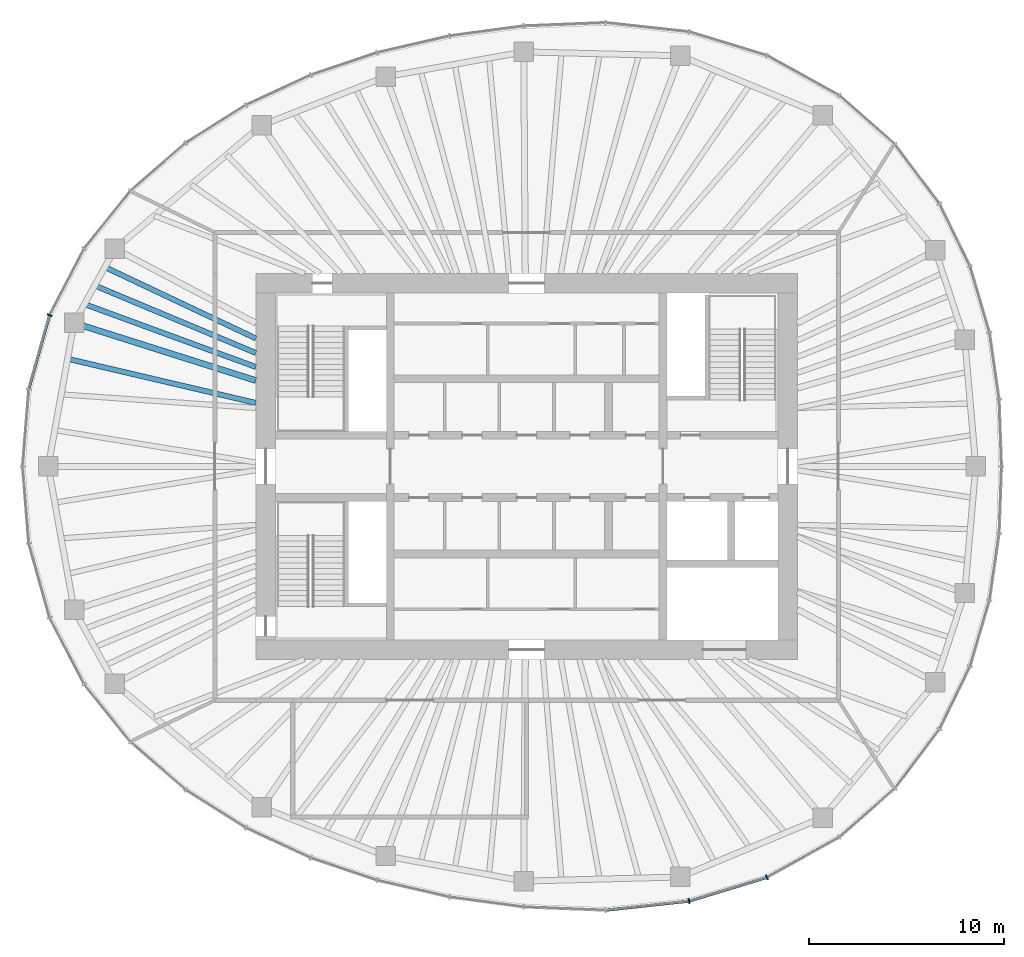
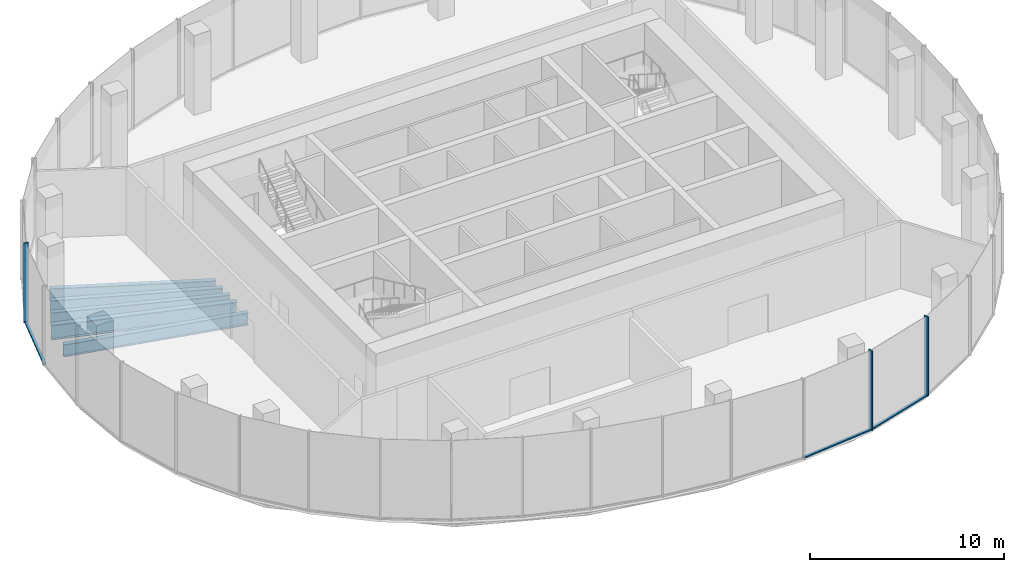
# One storey, part 3 of 11: 6 members, 5 beams, 3 elements without a shape of their own.
"""IFC4 building model written with IfcOpenShell, lengths in metres."""

from ifc_helpers import new_model, si_unit, direction, frame, origin, origin_2d, place, context, subcontext, project, spatial, rectangle, i_section, extrude, material, material_profile, profile_set, type_object, element, aggregate, save


model = new_model("IFC4")

# Units and contexts
model_context = context("Model", 3, precision=1e-05, world=origin(), true_north=direction((0.0, 1.0)))
body_context = subcontext(model_context, "Body", "Model", "MODEL_VIEW")
ifc_project = project(units=[si_unit("LENGTHUNIT", "METRE"), si_unit("AREAUNIT", "SQUARE_METRE"), si_unit("VOLUMEUNIT", "CUBIC_METRE"), si_unit("PLANEANGLEUNIT", "RADIAN"), si_unit("MASSUNIT", "GRAM", prefix="KILO")], contexts=[model_context])

# Site, building, storey
site_placement = place(None, origin())
site = spatial("IfcSite", under=ifc_project, at=site_placement, CompositionType="ELEMENT")
building_placement = place(site_placement, origin())
building = spatial("IfcBuilding", under=site, at=building_placement, Name="Ghaith Harvest Tower", CompositionType="ELEMENT")
storey_placement = place(building_placement, frame((0.0, 0.0, 339.199951171875)))
storey = spatial("IfcBuildingStorey", under=building, at=storey_placement, Name="L76", CompositionType="ELEMENT", Elevation=339.199951171875)

# Curtain wall, member
ifc_material_1 = material(Name="Black anodised aluminium and fritted glass", Category="aluminium")
curtain_wall_type = type_object("IfcCurtainWallType", Name="CW-C CURTAIN WALL", PredefinedType="NOTDEFINED", material=ifc_material_1)
curtain_wall_1_placement = place(storey_placement, origin())
curtain_wall_1 = element("IfcCurtainWall", 1, at=curtain_wall_1_placement, inside=storey, type_object=curtain_wall_type, Name="Curtain wall CW-C bay 10 L76", PredefinedType="NOTDEFINED")
ifc_material_2 = material(Name="Aluminium, black anodised", Category="aluminium")
ifc_material_profile_1 = material_profile(ifc_material_2, rectangle(XDim=0.080078125, YDim=0.260009765625, at=origin_2d()), Name="CW-C MULLION 80x260")
ifc_profile_set_1 = profile_set([ifc_material_profile_1], Name="Aluminium, black anodised")
member_type_1 = type_object("IfcMemberType", Name="CW-C MULLION 80x260", PredefinedType="MULLION", material=ifc_profile_set_1)
member_1_placement = place(storey_placement, frame((-24.482666015625, 7.759033203125, 0.0), z_axis=(0.0, 0.0, 1.0), x_axis=(-0.366473104961, -0.930428644948, 0.0)))
member_1 = element("IfcMember", 2, at=member_1_placement, type_object=member_type_1, Name="CW-C mullion 1 bay 10 L76", PredefinedType="MULLION", context=body_context, shape_type="SweptSolid", body=[
    extrude(rectangle(XDim=0.080078125, YDim=0.260009765625, at=origin_2d()), origin(), (0.0, 0.0, 1.0), 5.0),
])

# Curtain wall, members
curtain_wall_2_placement = place(storey_placement, origin())
curtain_wall_2 = element("IfcCurtainWall", 3, at=curtain_wall_2_placement, inside=storey, type_object=curtain_wall_type, Name="Curtain wall CW-C bay 17 L76", PredefinedType="NOTDEFINED")
member_2_placement = place(storey_placement, frame((8.33984375, -22.308837890625, 0.0), z_axis=(0.0, 0.0, 1.0), x_axis=(0.980000193265, 0.198996535647, 0.0)))
member_2 = element("IfcMember", 4, at=member_2_placement, type_object=member_type_1, Name="CW-C mullion 1 bay 17 L76", PredefinedType="MULLION", context=body_context, shape_type="SweptSolid", body=[
    extrude(rectangle(XDim=0.080078125, YDim=0.260009765625, at=origin_2d()), origin(), (0.0, 0.0, 1.0), 5.0),
])
member_3_placement = place(storey_placement, frame((12.334228515625, -21.091796875, 0.0), z_axis=(0.0, 0.0, 1.0), x_axis=(0.920319269335, 0.391168048914, 0.0)))
member_3 = element("IfcMember", 5, at=member_3_placement, type_object=member_type_1, Name="CW-C mullion 2 bay 17 L76", PredefinedType="MULLION", context=body_context, shape_type="SweptSolid", body=[
    extrude(rectangle(XDim=0.080078125, YDim=0.260009765625, at=origin_2d()), origin(), (0.0, 0.0, 1.0), 5.0),
])

# Member
ifc_material_3 = material(Name="Aluminium, black anodised", Category="aluminium")
ifc_material_profile_2 = material_profile(ifc_material_3, rectangle(XDim=0.159912109375, YDim=0.080078125, at=origin_2d()), Name="CW-C TRANSOM 160x80")
ifc_profile_set_2 = profile_set([ifc_material_profile_2], Name="Aluminium, black anodised")
member_type_2 = type_object("IfcMemberType", Name="CW-C TRANSOM 160x80", PredefinedType="USERDEFINED", material=ifc_profile_set_2)
member_4_placement = place(storey_placement, frame((-24.49365234375, 7.720458984375, 0.0400390625), z_axis=(-0.270340422972, -0.962764797709, 0.0), x_axis=(0.962764797709, -0.270340422972, 0.0)))
member_4 = element("IfcMember", 6, at=member_4_placement, type_object=member_type_2, Name="CW-C transom 1 bay 10 L76", ObjectType="TRANSOM", PredefinedType="USERDEFINED", context=body_context, shape_type="SweptSolid", body=[
    extrude(rectangle(XDim=0.159912109375, YDim=0.080078125, at=origin_2d()), origin(), (0.0, 0.0, 1.0), 3.874267578125),
])

aggregate(curtain_wall_1, [member_1, member_4])

# Curtain wall, member
curtain_wall_3_placement = place(storey_placement, origin())
curtain_wall_3 = element("IfcCurtainWall", 7, at=curtain_wall_3_placement, inside=storey, type_object=curtain_wall_type, Name="Curtain wall CW-C bay 16 L76", PredefinedType="NOTDEFINED")
member_5_placement = place(storey_placement, frame((4.077392578125, -22.772216796875, 0.0400390625), z_axis=(0.994144463069, 0.108059180768, 0.0), x_axis=(-0.108059180768, 0.994144463069, 0.0)))
member_5 = element("IfcMember", 8, at=member_5_placement, type_object=member_type_2, Name="CW-C transom 2 bay 16 L76", ObjectType="TRANSOM", PredefinedType="USERDEFINED", context=body_context, shape_type="SweptSolid", body=[
    extrude(rectangle(XDim=0.159912109375, YDim=0.080078125, at=origin_2d()), origin(), (0.0, 0.0, 1.0), 4.24755859375),
])
aggregate(curtain_wall_3, [member_5])

# Member
member_6_placement = place(storey_placement, frame((8.378173828125, -22.297119140625, 0.0400390625), z_axis=(0.956593713342, 0.291424891858, 0.0), x_axis=(-0.291424891858, 0.956593713342, 0.0)))
member_6 = element("IfcMember", 9, at=member_6_placement, type_object=member_type_2, Name="CW-C transom 1 bay 17 L76", ObjectType="TRANSOM", PredefinedType="USERDEFINED", context=body_context, shape_type="SweptSolid", body=[
    extrude(rectangle(XDim=0.159912109375, YDim=0.080078125, at=origin_2d()), origin(), (0.0, 0.0, 1.0), 4.095703125),
])

aggregate(curtain_wall_2, [member_2, member_6, member_3])

# Beams
ifc_material_4 = material(Name="Steel ASTM A992 Grade 50", Category="steel")
ifc_material_profile_3 = material_profile(ifc_material_4, i_section(OverallWidth=0.31005859375, OverallDepth=0.927001953125, WebThickness=0.019287109375, FlangeThickness=0.031982421875, at=origin_2d()), Name="W920X289")
ifc_profile_set_3 = profile_set([ifc_material_profile_3], Name="Steel ASTM A992 Grade 50")
beam_type_1 = type_object("IfcBeamType", Name="G920-289 W920X289", PredefinedType="BEAM", material=ifc_profile_set_3)
beam_1_placement = place(storey_placement, frame((-13.89990234375, 4.4052734375, -0.763427734375), z_axis=(-0.953278508772, 0.302092841215, 0.0), x_axis=(-0.302092841215, -0.953278508772, 0.0)))
element("IfcBeam", 10, at=beam_1_placement, inside=storey, type_object=beam_type_1, Name="Radial girder G10 L76", PredefinedType="BEAM", context=body_context, shape_type="SweptSolid", body=[
    extrude(i_section(OverallWidth=0.31005859375, OverallDepth=0.927001953125, WebThickness=0.019287109375, FlangeThickness=0.031982421875, at=origin_2d()), origin(), (0.0, 0.0, 1.0), 9.78125),
])
ifc_material_5 = material(Name="Steel ASTM A992 Grade 50", Category="steel")
ifc_material_profile_4 = material_profile(ifc_material_5, i_section(OverallWidth=0.26806640625, OverallDepth=0.77001953125, WebThickness=0.015625, FlangeThickness=0.025390625, at=origin_2d()), Name="W760X196")
ifc_profile_set_4 = profile_set([ifc_material_profile_4], Name="Steel ASTM A992 Grade 50")
beam_type_2 = type_object("IfcBeamType", Name="J760-196 W760X196", PredefinedType="JOIST", material=ifc_profile_set_4)
beam_2_placement = place(storey_placement, frame((-13.89990234375, 6.56787109375, -0.68505859375), z_axis=(-0.904165769726, 0.427181765594, 0.0), x_axis=(-0.427181765594, -0.904165769726, 0.0)))
element("IfcBeam", 11, at=beam_2_placement, inside=storey, type_object=beam_type_2, Name="Joist J09.1 L76", PredefinedType="JOIST", context=body_context, shape_type="SweptSolid", body=[
    extrude(i_section(OverallWidth=0.26806640625, OverallDepth=0.77001953125, WebThickness=0.015625, FlangeThickness=0.025390625, at=origin_2d()), origin(), (0.0, 0.0, 1.0), 8.564208984375),
])
beam_3_placement = place(storey_placement, frame((-13.89990234375, 5.82080078125, -0.68505859375), z_axis=(-0.922394258818, 0.38624970071, 0.0), x_axis=(-0.38624970071, -0.922394258818, 0.0)))
element("IfcBeam", 12, at=beam_3_placement, inside=storey, type_object=beam_type_2, Name="Joist J09.2 L76", PredefinedType="JOIST", context=body_context, shape_type="SweptSolid", body=[
    extrude(i_section(OverallWidth=0.26806640625, OverallDepth=0.77001953125, WebThickness=0.015625, FlangeThickness=0.025390625, at=origin_2d()), origin(), (0.0, 0.0, 1.0), 8.959716796875),
])
beam_4_placement = place(storey_placement, frame((-13.89990234375, 5.101318359375, -0.68505859375), z_axis=(-0.938776837502, 0.34452583266, 0.0), x_axis=(-0.34452583266, -0.938776837502, 0.0)))
element("IfcBeam", 13, at=beam_4_placement, inside=storey, type_object=beam_type_2, Name="Joist J09.3 L76", PredefinedType="JOIST", context=body_context, shape_type="SweptSolid", body=[
    extrude(i_section(OverallWidth=0.26806640625, OverallDepth=0.77001953125, WebThickness=0.015625, FlangeThickness=0.025390625, at=origin_2d()), origin(), (0.0, 0.0, 1.0), 9.36376953125),
])
beam_5_placement = place(storey_placement, frame((-13.89990234375, 3.257080078125, -0.68505859375), z_axis=(-0.973623403271, 0.228161058472, 0.0), x_axis=(-0.228161058472, -0.973623403271, 0.0)))
element("IfcBeam", 14, at=beam_5_placement, inside=storey, type_object=beam_type_2, Name="Joist J10.1 L76", PredefinedType="JOIST", context=body_context, shape_type="SweptSolid", body=[
    extrude(i_section(OverallWidth=0.26806640625, OverallDepth=0.77001953125, WebThickness=0.015625, FlangeThickness=0.025390625, at=origin_2d()), origin(), (0.0, 0.0, 1.0), 9.9169921875),
])

save(model, "model.ifc")
